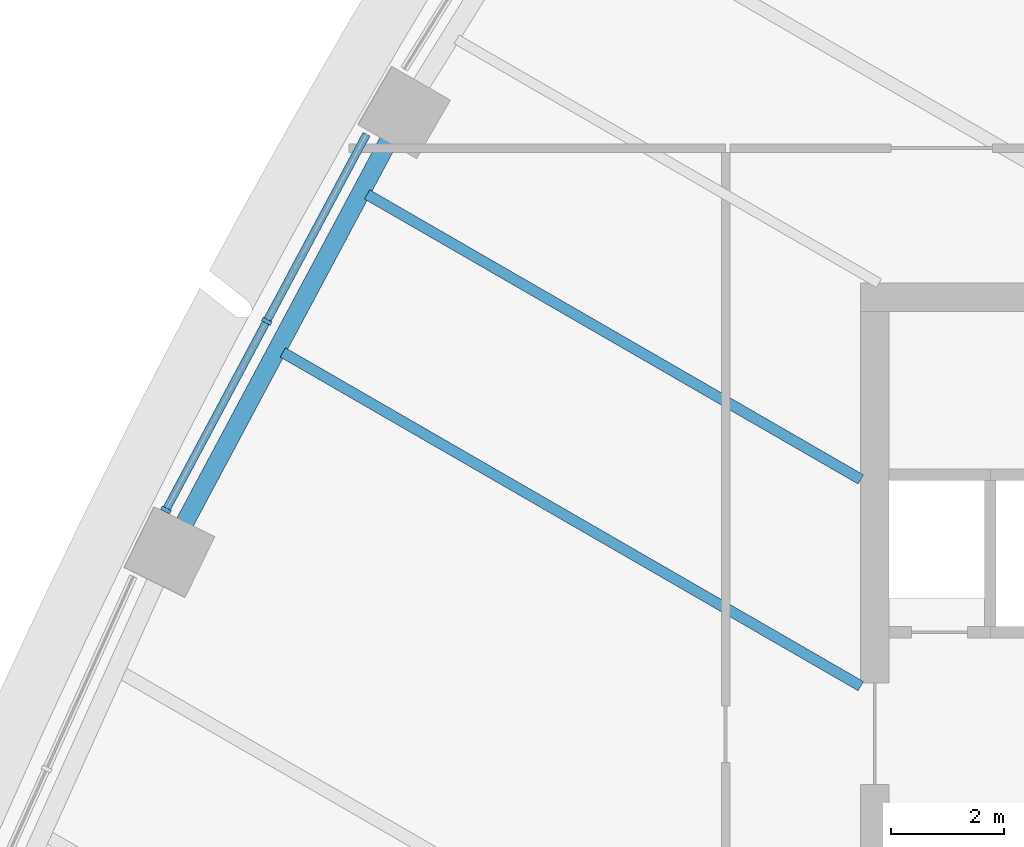
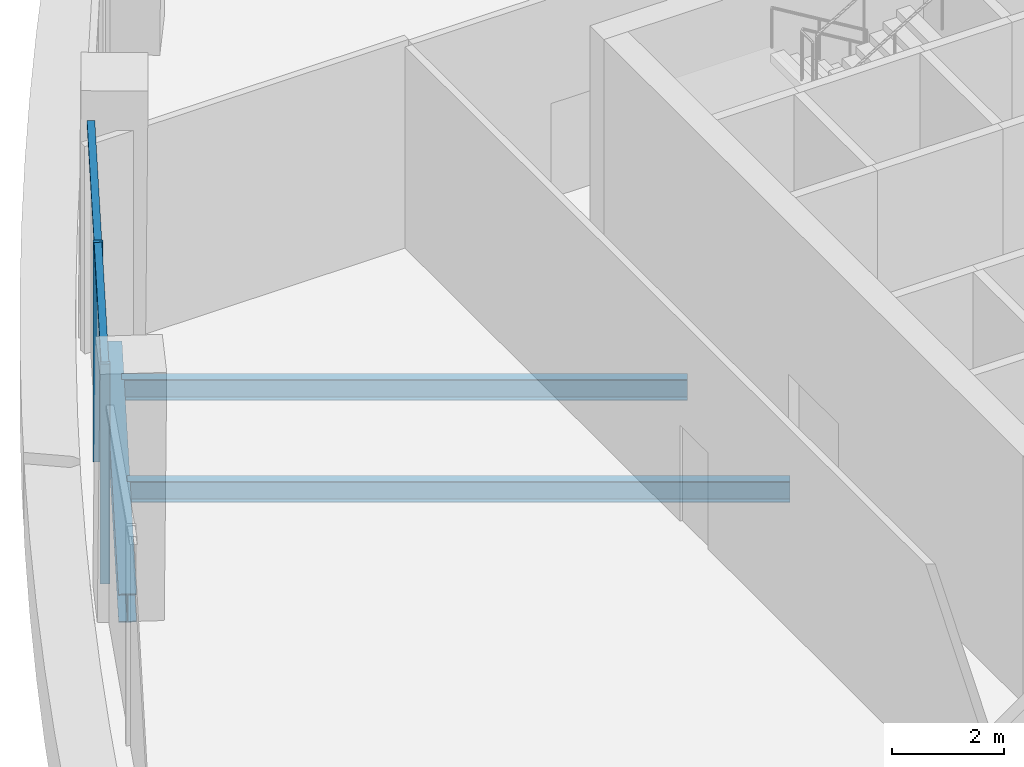
# One storey, part 3 of 16: 4 members, 3 beams, 1 element without a shape of its own.
"""IFC4 building model written with IfcOpenShell, lengths in metres."""

from ifc_helpers import new_model, si_unit, direction, frame, origin, origin_2d, place, context, subcontext, project, spatial, rectangle, i_section, extrude, material, layer, layer_set, material_profile, profile_set, type_object, element, aggregate, save


model = new_model("IFC4")

# Units and contexts
model_context = context("Model", 3, precision=1e-05, world=origin(), true_north=direction((0.0, 1.0)))
body_context = subcontext(model_context, "Body", "Model", "MODEL_VIEW")
ifc_project = project(units=[si_unit("LENGTHUNIT", "METRE"), si_unit("AREAUNIT", "SQUARE_METRE"), si_unit("VOLUMEUNIT", "CUBIC_METRE"), si_unit("PLANEANGLEUNIT", "RADIAN"), si_unit("MASSUNIT", "GRAM", prefix="KILO")], contexts=[model_context])

# Site, building, storey
site_placement = place(None, origin())
site = spatial("IfcSite", under=ifc_project, at=site_placement, CompositionType="ELEMENT")
building_placement = place(site_placement, origin())
building = spatial("IfcBuilding", under=site, at=building_placement, Name="Sierra Prisma Convention Tower", CompositionType="ELEMENT")
storey_placement = place(building_placement, frame((0.0, 0.0, 107.199951171875)))
storey = spatial("IfcBuildingStorey", under=building, at=storey_placement, Name="L23", CompositionType="ELEMENT", Elevation=107.199951171875)

# Curtain wall, members
ifc_material_1 = material(Name="Aluminium and glass curtain wall", Category="aluminium")
ifc_layer = layer(ifc_material_1, 0.179931640625)
ifc_layer_set = layer_set([ifc_layer], Name="CW-1 Plain shaft curtain wall")
curtain_wall_type = type_object("IfcCurtainWallType", Name="CW-1 Plain shaft curtain wall", PredefinedType="NOTDEFINED", material=ifc_layer_set)
curtain_wall_placement = place(storey_placement, origin())
curtain_wall = element("IfcCurtainWall", 1, at=curtain_wall_placement, inside=storey, type_object=curtain_wall_type, Name="CW-1 NW4 L23", PredefinedType="NOTDEFINED")
ifc_material_2 = material(Name="Aluminium 6063-T6 bronze anodised", Category="aluminium")
ifc_material_profile_1 = material_profile(ifc_material_2, rectangle(XDim=0.179931640625, YDim=0.070068359375, at=origin_2d()), Name="ALU MULLION 70x180")
ifc_profile_set_1 = profile_set([ifc_material_profile_1], Name="Aluminium 6063-T6 bronze anodised")
member_type_1 = type_object("IfcMemberType", Name="CW mullion bronze", PredefinedType="MULLION", material=ifc_profile_set_1)
member_1_placement = place(storey_placement, frame((-21.550048828125, 7.323974609375, 0.0), z_axis=(0.0, 0.0, 1.0), x_axis=(0.882214348939, -0.470848003633, 0.0)))
member_1 = element("IfcMember", 2, at=member_1_placement, type_object=member_type_1, Name="CW-1 mullion NW4.2", PredefinedType="MULLION", context=body_context, shape_type="SweptSolid", body=[
    extrude(rectangle(XDim=0.179931640625, YDim=0.070068359375, at=origin_2d()), origin(), (0.0, 0.0, 1.0), 4.800048828125),
])
member_2_placement = place(storey_placement, frame((-23.33935546875, 3.971923828125, 0.0), z_axis=(0.0, 0.0, 1.0), x_axis=(0.882214348939, -0.470848003633, 0.0)))
member_2 = element("IfcMember", 3, at=member_2_placement, type_object=member_type_1, Name="CW-1 mullion NW4.3", PredefinedType="MULLION", context=body_context, shape_type="SweptSolid", body=[
    extrude(rectangle(XDim=0.179931640625, YDim=0.070068359375, at=origin_2d()), origin(), (0.0, 0.0, 1.0), 4.800048828125),
])
ifc_material_3 = material(Name="Aluminium 6063-T6 bronze anodised", Category="aluminium")
ifc_material_profile_2 = material_profile(ifc_material_3, rectangle(XDim=0.139892578125, YDim=0.1201171875, at=origin_2d()), Name="ALU TRANSOM 120x140")
ifc_profile_set_2 = profile_set([ifc_material_profile_2], Name="Aluminium 6063-T6 bronze anodised")
member_type_2 = type_object("IfcMemberType", Name="CW transom bronze", PredefinedType="USERDEFINED", material=ifc_profile_set_2)
member_3_placement = place(storey_placement, frame((-19.777587890625, 10.645263671875, 4.739990234375), z_axis=(-0.470856623792, -0.882209748207, 0.0), x_axis=(0.882209748207, -0.470856623792, 0.0)))
member_3 = element("IfcMember", 4, at=member_3_placement, type_object=member_type_2, Name="CW-1 transom NW4.1", ObjectType="TRANSOM", PredefinedType="USERDEFINED", context=body_context, shape_type="SweptSolid", body=[
    extrude(rectangle(XDim=0.139892578125, YDim=0.1201171875, at=origin_2d()), origin(), (0.0, 0.0, 1.0), 3.7294921875),
])
member_4_placement = place(storey_placement, frame((-21.566650390625, 7.293212890625, 4.739990234375), z_axis=(-0.470829433264, -0.882224259909, 0.0), x_axis=(0.882224259909, -0.470829433264, 0.0)))
member_4 = element("IfcMember", 5, at=member_4_placement, type_object=member_type_2, Name="CW-1 transom NW4.2", ObjectType="TRANSOM", PredefinedType="USERDEFINED", context=body_context, shape_type="SweptSolid", body=[
    extrude(rectangle(XDim=0.139892578125, YDim=0.1201171875, at=origin_2d()), origin(), (0.0, 0.0, 1.0), 3.729736328125),
])
aggregate(curtain_wall, [member_1, member_2, member_3, member_4])

# Beams
ifc_material_4 = material(Name="Steel ASTM A992 Gr 50", Category="steel")
ifc_material_profile_3 = material_profile(ifc_material_4, i_section(OverallWidth=0.18994140625, OverallDepth=0.45703125, WebThickness=0.009033203125, FlangeThickness=0.014404296875, at=origin_2d()), Name="W460x74")
ifc_profile_set_3 = profile_set([ifc_material_profile_3], Name="Steel ASTM A992 Gr 50")
beam_type_1 = type_object("IfcBeamType", Name="Floor joist W460x74", PredefinedType="JOIST", material=ifc_profile_set_3)
beam_1_placement = place(storey_placement, frame((-19.76708984375, 9.576904296875, -0.37841796875), z_axis=(0.866032172415, -0.499988276205, 0.0), x_axis=(0.499988276205, 0.866032172415, 0.0)))
element("IfcBeam", 6, at=beam_1_placement, inside=storey, type_object=beam_type_1, Name="Floor joist L23 NW09", PredefinedType="JOIST", context=body_context, shape_type="SweptSolid", body=[
    extrude(i_section(OverallWidth=0.18994140625, OverallDepth=0.45703125, WebThickness=0.009033203125, FlangeThickness=0.014404296875, at=origin_2d()), origin(), (0.0, 0.0, 1.0), 10.123291015625),
])
beam_2_placement = place(storey_placement, frame((-21.264892578125, 6.770751953125, -0.37841796875), z_axis=(0.866022657331, -0.500004756968, 0.0), x_axis=(0.500004756968, 0.866022657331, 0.0)))
element("IfcBeam", 7, at=beam_2_placement, inside=storey, type_object=beam_type_1, Name="Floor joist L23 NW10", PredefinedType="JOIST", context=body_context, shape_type="SweptSolid", body=[
    extrude(i_section(OverallWidth=0.18994140625, OverallDepth=0.45703125, WebThickness=0.009033203125, FlangeThickness=0.014404296875, at=origin_2d()), origin(), (0.0, 0.0, 1.0), 11.85302734375),
])
ifc_material_5 = material(Name="Steel ASTM A992 Gr 50", Category="steel")
ifc_material_profile_4 = material_profile(ifc_material_5, i_section(OverallWidth=0.324951171875, OverallDepth=0.615966796875, WebThickness=0.013916015625, FlangeThickness=0.021484375, at=origin_2d()), Name="W610x174")
ifc_profile_set_4 = profile_set([ifc_material_profile_4], Name="Steel ASTM A992 Gr 50")
beam_type_2 = type_object("IfcBeamType", Name="Spandrel beam W610x174", PredefinedType="BEAM", material=ifc_profile_set_4)
beam_3_placement = place(storey_placement, frame((-19.341796875, 10.612548828125, -0.4580078125), z_axis=(-0.470854655755, -0.882210798593, 0.0), x_axis=(0.882210798593, -0.470854655755, 0.0)))
element("IfcBeam", 8, at=beam_3_placement, inside=storey, type_object=beam_type_2, Name="Spandrel L23-16", PredefinedType="BEAM", context=body_context, shape_type="SweptSolid", body=[
    extrude(i_section(OverallWidth=0.324951171875, OverallDepth=0.615966796875, WebThickness=0.013916015625, FlangeThickness=0.021484375, at=origin_2d()), origin(), (0.0, 0.0, 1.0), 7.894775390625),
])

save(model, "model.ifc")
